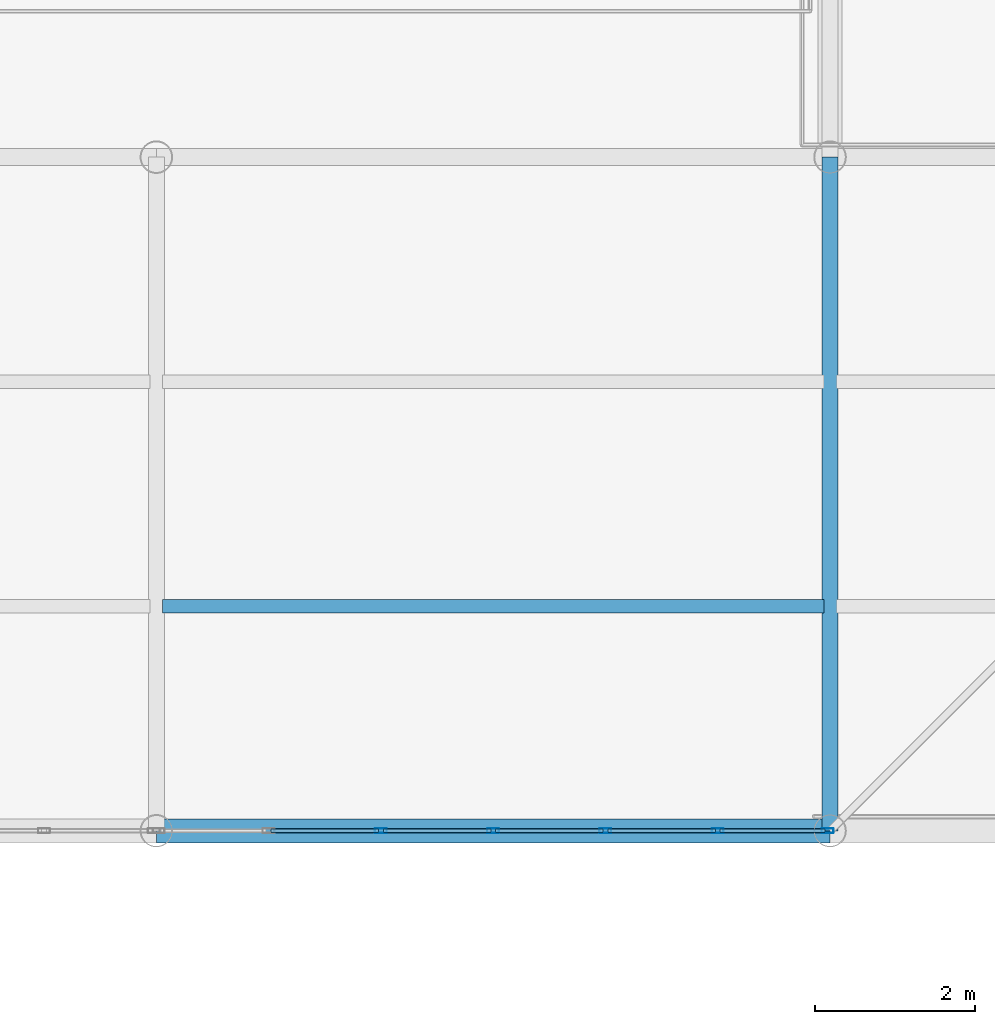
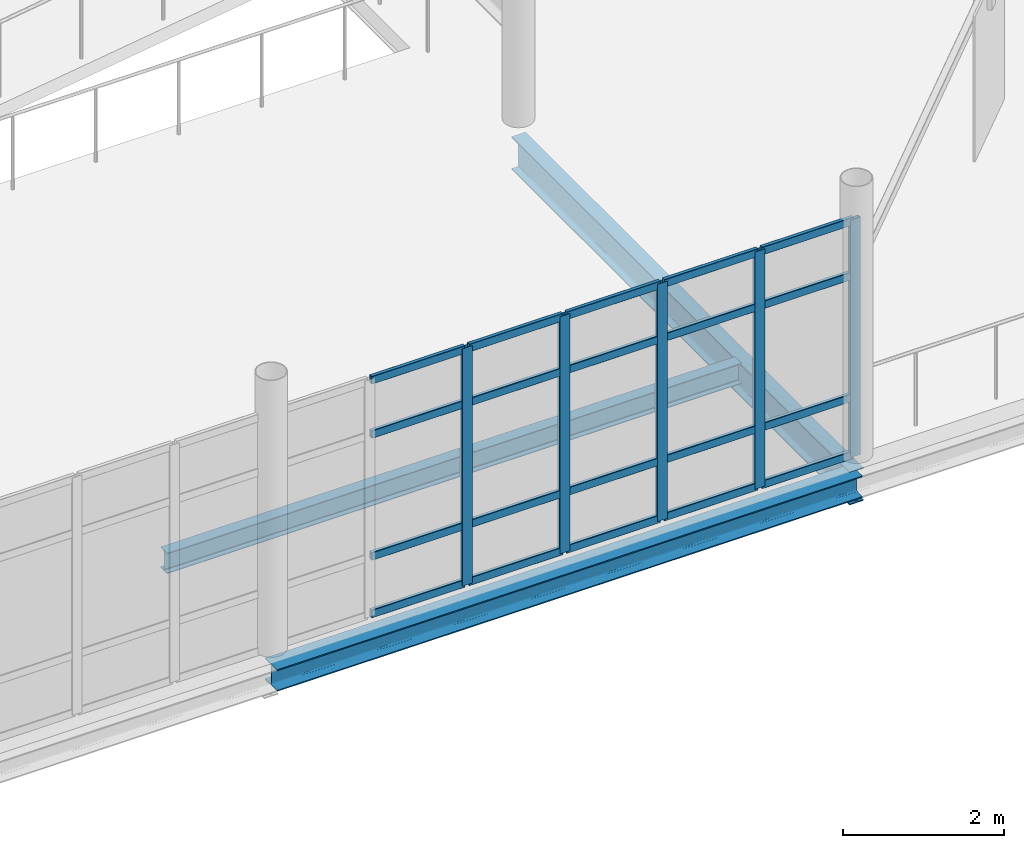
# One storey, part 109 of 163: 25 members, 3 beams, 1 element without a shape of its own.
"""IFC4 building model written with IfcOpenShell, lengths in metres."""

from ifc_helpers import new_model, si_unit, direction, frame, origin, origin_2d, place, context, subcontext, project, spatial, hollow_rectangle, i_section, extrude, material, layer, layer_set, material_profile, profile_set, type_object, element, aggregate, save


model = new_model("IFC4")

# Units and contexts
model_context = context("Model", 3, precision=1e-05, world=origin(), true_north=direction((0.0, 1.0)))
body_context = subcontext(model_context, "Body", "Model", "MODEL_VIEW")
ifc_project = project(units=[si_unit("LENGTHUNIT", "METRE"), si_unit("AREAUNIT", "SQUARE_METRE"), si_unit("VOLUMEUNIT", "CUBIC_METRE"), si_unit("PLANEANGLEUNIT", "RADIAN"), si_unit("MASSUNIT", "GRAM", prefix="KILO")], contexts=[model_context])

# Site, building, storey
site_placement = place(None, origin())
site = spatial("IfcSite", under=ifc_project, at=site_placement, CompositionType="ELEMENT")
building_placement = place(site_placement, origin())
building = spatial("IfcBuilding", under=site, at=building_placement, Name="Qalvenar Corner Mobility Hub", CompositionType="ELEMENT")
storey_placement = place(building_placement, frame((0.0, 0.0, 4.800048828125)))
storey = spatial("IfcBuildingStorey", under=building, at=storey_placement, Name="L01", CompositionType="ELEMENT", Elevation=4.800048828125)

# Beams
ifc_material_1 = material(Name="Steel S355", Category="steel")
ifc_material_profile_1 = material_profile(ifc_material_1, i_section(OverallWidth=0.199951171875, OverallDepth=0.5, WebThickness=0.01025390625, FlangeThickness=0.01611328125, FilletRadius=0.02099609375, at=origin_2d()), Name="IPE500")
ifc_profile_set_1 = profile_set([ifc_material_profile_1], Name="Steel S355")
beam_type_1 = type_object("IfcBeamType", Name="BM-IPE500", PredefinedType="BEAM", material=ifc_profile_set_1)
beam_1_placement = place(storey_placement, frame((159.60009765625, 67.199951171875, -0.489990234375), z_axis=(0.0, 1.0, 0.0), x_axis=(-1.0, 0.0, 0.0)))
element("IfcBeam", 1, at=beam_1_placement, inside=storey, type_object=beam_type_1, Name="Primary Steel Girder GY-1486", PredefinedType="BEAM", context=body_context, shape_type="SweptSolid", body=[
    extrude(i_section(OverallWidth=0.199951171875, OverallDepth=0.5, WebThickness=0.01025390625, FlangeThickness=0.01611328125, FilletRadius=0.02099609375, at=origin_2d()), origin(), (0.0, 0.0, 1.0), 8.400146484375),
])
ifc_material_profile_2 = material_profile(ifc_material_1, i_section(OverallWidth=0.1650390625, OverallDepth=0.31005859375, WebThickness=0.005859375, FlangeThickness=0.009765625, FilletRadius=0.011962890625, at=origin_2d()), Name="W310x38.7")
ifc_profile_set_2 = profile_set([ifc_material_profile_2], Name="Steel S355")
beam_type_2 = type_object("IfcBeamType", Name="BM-JST310", PredefinedType="JOIST", material=ifc_profile_set_2)
beam_2_placement = place(storey_placement, frame((151.278076171875, 70.0, -0.39501953125), z_axis=(1.0, 0.0, 0.0), x_axis=(0.0, 1.0, 0.0)))
element("IfcBeam", 2, at=beam_2_placement, inside=storey, type_object=beam_type_2, Name="Composite Floor Joist J-1506", PredefinedType="JOIST", context=body_context, shape_type="SweptSolid", body=[
    extrude(i_section(OverallWidth=0.1650390625, OverallDepth=0.31005859375, WebThickness=0.005859375, FlangeThickness=0.009765625, FilletRadius=0.011962890625, at=origin_2d()), origin(), (0.0, 0.0, 1.0), 8.243896484375),
])
ifc_material_profile_3 = material_profile(ifc_material_1, i_section(OverallWidth=0.300048828125, OverallDepth=0.330078125, WebThickness=0.009521484375, FlangeThickness=0.0166015625, FilletRadius=0.027099609375, at=origin_2d()), Name="HEA340")
ifc_profile_set_3 = profile_set([ifc_material_profile_3], Name="Steel S355")
beam_type_3 = type_object("IfcBeamType", Name="BM-SPN340", PredefinedType="SPANDREL", material=ifc_profile_set_3)
beam_3_placement = place(storey_placement, frame((151.199951171875, 67.199951171875, -0.405029296875), z_axis=(1.0, 0.0, 0.0), x_axis=(0.0, 1.0, 0.0)))
element("IfcBeam", 3, at=beam_3_placement, inside=storey, type_object=beam_type_3, Name="Primary Steel Girder GX-1467", PredefinedType="SPANDREL", context=body_context, shape_type="SweptSolid", body=[
    extrude(i_section(OverallWidth=0.300048828125, OverallDepth=0.330078125, WebThickness=0.009521484375, FlangeThickness=0.0166015625, FilletRadius=0.027099609375, at=origin_2d()), origin(), (0.0, 0.0, 1.0), 8.400146484375),
])

# Curtain wall, members
ifc_material_2 = material(Name="Anodised Aluminium and Low-E Glazing", Category="aluminium")
ifc_layer = layer(ifc_material_2, 0.1201171875)
ifc_layer_set = layer_set([ifc_layer], Name="Anodised Aluminium and Low-E Glazing")
curtain_wall_type = type_object("IfcCurtainWallType", Name="CW-STR-42X40", PredefinedType="NOTDEFINED", material=ifc_layer_set)
curtain_wall_placement = place(storey_placement, origin())
curtain_wall = element("IfcCurtainWall", 4, at=curtain_wall_placement, inside=storey, type_object=curtain_wall_type, Name="Glazed Curtain Wall CW-V2-L01-S1", PredefinedType="NOTDEFINED")
ifc_material_3 = material(Name="Anodised Aluminium 6063-T6", Category="aluminium")
ifc_material_profile_4 = material_profile(ifc_material_3, hollow_rectangle(XDim=0.06005859375, YDim=0.14990234375, WallThickness=0.00390625, InnerFilletRadius=0.00390625, OuterFilletRadius=0.008056640625, at=origin_2d()), Name="RHS150x60x4")
ifc_profile_set_4 = profile_set([ifc_material_profile_4], Name="Anodised Aluminium 6063-T6")
member_type_1 = type_object("IfcMemberType", Name="CW-MUL150", PredefinedType="MULLION", material=ifc_profile_set_4)
member_1_placement = place(storey_placement, frame((154.0, 67.199951171875, 0.0), z_axis=(0.0, 0.0, 1.0), x_axis=(0.0, 1.0, 0.0)))
member_1 = element("IfcMember", 5, at=member_1_placement, type_object=member_type_1, Name="CW-10 mullion 3", PredefinedType="MULLION", context=body_context, shape_type="SweptSolid", body=[
    extrude(hollow_rectangle(XDim=0.06005859375, YDim=0.14990234375, WallThickness=0.00390625, InnerFilletRadius=0.00390625, OuterFilletRadius=0.008056640625, at=origin_2d()), origin(), (0.0, 0.0, 1.0), 3.599853515625),
])
member_2_placement = place(storey_placement, frame((155.39990234375, 67.199951171875, 0.0), z_axis=(0.0, 0.0, 1.0), x_axis=(0.0, 1.0, 0.0)))
member_2 = element("IfcMember", 6, at=member_2_placement, type_object=member_type_1, Name="CW-10 mullion 4", PredefinedType="MULLION", context=body_context, shape_type="SweptSolid", body=[
    extrude(hollow_rectangle(XDim=0.06005859375, YDim=0.14990234375, WallThickness=0.00390625, InnerFilletRadius=0.00390625, OuterFilletRadius=0.008056640625, at=origin_2d()), origin(), (0.0, 0.0, 1.0), 3.599853515625),
])
member_3_placement = place(storey_placement, frame((156.800048828125, 67.199951171875, 0.0), z_axis=(0.0, 0.0, 1.0), x_axis=(0.0, 1.0, 0.0)))
member_3 = element("IfcMember", 7, at=member_3_placement, type_object=member_type_1, Name="CW-10 mullion 5", PredefinedType="MULLION", context=body_context, shape_type="SweptSolid", body=[
    extrude(hollow_rectangle(XDim=0.06005859375, YDim=0.14990234375, WallThickness=0.00390625, InnerFilletRadius=0.00390625, OuterFilletRadius=0.008056640625, at=origin_2d()), origin(), (0.0, 0.0, 1.0), 3.599853515625),
])
member_4_placement = place(storey_placement, frame((158.199951171875, 67.199951171875, 0.0), z_axis=(0.0, 0.0, 1.0), x_axis=(0.0, 1.0, 0.0)))
member_4 = element("IfcMember", 8, at=member_4_placement, type_object=member_type_1, Name="CW-10 mullion 6", PredefinedType="MULLION", context=body_context, shape_type="SweptSolid", body=[
    extrude(hollow_rectangle(XDim=0.06005859375, YDim=0.14990234375, WallThickness=0.00390625, InnerFilletRadius=0.00390625, OuterFilletRadius=0.008056640625, at=origin_2d()), origin(), (0.0, 0.0, 1.0), 3.599853515625),
])
member_5_placement = place(storey_placement, frame((159.570068359375, 67.199951171875, 0.0), z_axis=(0.0, 0.0, 1.0), x_axis=(0.0, 1.0, 0.0)))
member_5 = element("IfcMember", 9, at=member_5_placement, type_object=member_type_1, Name="CW-10 mullion 7", PredefinedType="MULLION", context=body_context, shape_type="SweptSolid", body=[
    extrude(hollow_rectangle(XDim=0.06005859375, YDim=0.14990234375, WallThickness=0.00390625, InnerFilletRadius=0.00390625, OuterFilletRadius=0.008056640625, at=origin_2d()), origin(), (0.0, 0.0, 1.0), 3.599853515625),
])
ifc_material_profile_5 = material_profile(ifc_material_3, hollow_rectangle(XDim=0.054931640625, YDim=0.1201171875, WallThickness=0.00341796875, InnerFilletRadius=0.00341796875, OuterFilletRadius=0.007080078125, at=origin_2d()), Name="RHS120x55x3.5")
ifc_profile_set_5 = profile_set([ifc_material_profile_5], Name="Anodised Aluminium 6063-T6")
member_type_2 = type_object("IfcMemberType", Name="CW-TRN120", PredefinedType="USERDEFINED", material=ifc_profile_set_5)
member_6_placement = place(storey_placement, frame((152.6298828125, 67.199951171875, 0.02734375), z_axis=(1.0, 0.0, 0.0), x_axis=(0.0, 1.0, 0.0)))
member_6 = element("IfcMember", 10, at=member_6_placement, type_object=member_type_2, Name="CW-10 transom 2.1", ObjectType="TRANSOM", PredefinedType="USERDEFINED", context=body_context, shape_type="SweptSolid", body=[
    extrude(hollow_rectangle(XDim=0.054931640625, YDim=0.1201171875, WallThickness=0.00341796875, InnerFilletRadius=0.00341796875, OuterFilletRadius=0.007080078125, at=origin_2d()), origin(), (0.0, 0.0, 1.0), 1.340087890625),
])
member_7_placement = place(storey_placement, frame((152.6298828125, 67.199951171875, 0.89990234375), z_axis=(1.0, 0.0, 0.0), x_axis=(0.0, 1.0, 0.0)))
member_7 = element("IfcMember", 11, at=member_7_placement, type_object=member_type_2, Name="CW-10 transom 2.2", ObjectType="TRANSOM", PredefinedType="USERDEFINED", context=body_context, shape_type="SweptSolid", body=[
    extrude(hollow_rectangle(XDim=0.054931640625, YDim=0.1201171875, WallThickness=0.00341796875, InnerFilletRadius=0.00341796875, OuterFilletRadius=0.007080078125, at=origin_2d()), origin(), (0.0, 0.0, 1.0), 1.340087890625),
])
member_8_placement = place(storey_placement, frame((152.6298828125, 67.199951171875, 2.75), z_axis=(1.0, 0.0, 0.0), x_axis=(0.0, 1.0, 0.0)))
member_8 = element("IfcMember", 12, at=member_8_placement, type_object=member_type_2, Name="CW-10 transom 2.3", ObjectType="TRANSOM", PredefinedType="USERDEFINED", context=body_context, shape_type="SweptSolid", body=[
    extrude(hollow_rectangle(XDim=0.054931640625, YDim=0.1201171875, WallThickness=0.00341796875, InnerFilletRadius=0.00341796875, OuterFilletRadius=0.007080078125, at=origin_2d()), origin(), (0.0, 0.0, 1.0), 1.340087890625),
])
member_9_placement = place(storey_placement, frame((152.6298828125, 67.199951171875, 3.572509765625), z_axis=(1.0, 0.0, 0.0), x_axis=(0.0, 1.0, 0.0)))
member_9 = element("IfcMember", 13, at=member_9_placement, type_object=member_type_2, Name="CW-10 transom 2.4", ObjectType="TRANSOM", PredefinedType="USERDEFINED", context=body_context, shape_type="SweptSolid", body=[
    extrude(hollow_rectangle(XDim=0.054931640625, YDim=0.1201171875, WallThickness=0.00341796875, InnerFilletRadius=0.00341796875, OuterFilletRadius=0.007080078125, at=origin_2d()), origin(), (0.0, 0.0, 1.0), 1.340087890625),
])
member_10_placement = place(storey_placement, frame((154.030029296875, 67.199951171875, 0.02734375), z_axis=(1.0, 0.0, 0.0), x_axis=(0.0, 1.0, 0.0)))
member_10 = element("IfcMember", 14, at=member_10_placement, type_object=member_type_2, Name="CW-10 transom 3.1", ObjectType="TRANSOM", PredefinedType="USERDEFINED", context=body_context, shape_type="SweptSolid", body=[
    extrude(hollow_rectangle(XDim=0.054931640625, YDim=0.1201171875, WallThickness=0.00341796875, InnerFilletRadius=0.00341796875, OuterFilletRadius=0.007080078125, at=origin_2d()), origin(), (0.0, 0.0, 1.0), 1.340087890625),
])
member_11_placement = place(storey_placement, frame((154.030029296875, 67.199951171875, 0.89990234375), z_axis=(1.0, 0.0, 0.0), x_axis=(0.0, 1.0, 0.0)))
member_11 = element("IfcMember", 15, at=member_11_placement, type_object=member_type_2, Name="CW-10 transom 3.2", ObjectType="TRANSOM", PredefinedType="USERDEFINED", context=body_context, shape_type="SweptSolid", body=[
    extrude(hollow_rectangle(XDim=0.054931640625, YDim=0.1201171875, WallThickness=0.00341796875, InnerFilletRadius=0.00341796875, OuterFilletRadius=0.007080078125, at=origin_2d()), origin(), (0.0, 0.0, 1.0), 1.340087890625),
])
member_12_placement = place(storey_placement, frame((154.030029296875, 67.199951171875, 2.75), z_axis=(1.0, 0.0, 0.0), x_axis=(0.0, 1.0, 0.0)))
member_12 = element("IfcMember", 16, at=member_12_placement, type_object=member_type_2, Name="CW-10 transom 3.3", ObjectType="TRANSOM", PredefinedType="USERDEFINED", context=body_context, shape_type="SweptSolid", body=[
    extrude(hollow_rectangle(XDim=0.054931640625, YDim=0.1201171875, WallThickness=0.00341796875, InnerFilletRadius=0.00341796875, OuterFilletRadius=0.007080078125, at=origin_2d()), origin(), (0.0, 0.0, 1.0), 1.340087890625),
])
member_13_placement = place(storey_placement, frame((154.030029296875, 67.199951171875, 3.572509765625), z_axis=(1.0, 0.0, 0.0), x_axis=(0.0, 1.0, 0.0)))
member_13 = element("IfcMember", 17, at=member_13_placement, type_object=member_type_2, Name="CW-10 transom 3.4", ObjectType="TRANSOM", PredefinedType="USERDEFINED", context=body_context, shape_type="SweptSolid", body=[
    extrude(hollow_rectangle(XDim=0.054931640625, YDim=0.1201171875, WallThickness=0.00341796875, InnerFilletRadius=0.00341796875, OuterFilletRadius=0.007080078125, at=origin_2d()), origin(), (0.0, 0.0, 1.0), 1.340087890625),
])
member_14_placement = place(storey_placement, frame((155.429931640625, 67.199951171875, 0.02734375), z_axis=(1.0, 0.0, 0.0), x_axis=(0.0, 1.0, 0.0)))
member_14 = element("IfcMember", 18, at=member_14_placement, type_object=member_type_2, Name="CW-10 transom 4.1", ObjectType="TRANSOM", PredefinedType="USERDEFINED", context=body_context, shape_type="SweptSolid", body=[
    extrude(hollow_rectangle(XDim=0.054931640625, YDim=0.1201171875, WallThickness=0.00341796875, InnerFilletRadius=0.00341796875, OuterFilletRadius=0.007080078125, at=origin_2d()), origin(), (0.0, 0.0, 1.0), 1.340087890625),
])
member_15_placement = place(storey_placement, frame((155.429931640625, 67.199951171875, 0.89990234375), z_axis=(1.0, 0.0, 0.0), x_axis=(0.0, 1.0, 0.0)))
member_15 = element("IfcMember", 19, at=member_15_placement, type_object=member_type_2, Name="CW-10 transom 4.2", ObjectType="TRANSOM", PredefinedType="USERDEFINED", context=body_context, shape_type="SweptSolid", body=[
    extrude(hollow_rectangle(XDim=0.054931640625, YDim=0.1201171875, WallThickness=0.00341796875, InnerFilletRadius=0.00341796875, OuterFilletRadius=0.007080078125, at=origin_2d()), origin(), (0.0, 0.0, 1.0), 1.340087890625),
])
member_16_placement = place(storey_placement, frame((155.429931640625, 67.199951171875, 2.75), z_axis=(1.0, 0.0, 0.0), x_axis=(0.0, 1.0, 0.0)))
member_16 = element("IfcMember", 20, at=member_16_placement, type_object=member_type_2, Name="CW-10 transom 4.3", ObjectType="TRANSOM", PredefinedType="USERDEFINED", context=body_context, shape_type="SweptSolid", body=[
    extrude(hollow_rectangle(XDim=0.054931640625, YDim=0.1201171875, WallThickness=0.00341796875, InnerFilletRadius=0.00341796875, OuterFilletRadius=0.007080078125, at=origin_2d()), origin(), (0.0, 0.0, 1.0), 1.340087890625),
])
member_17_placement = place(storey_placement, frame((155.429931640625, 67.199951171875, 3.572509765625), z_axis=(1.0, 0.0, 0.0), x_axis=(0.0, 1.0, 0.0)))
member_17 = element("IfcMember", 21, at=member_17_placement, type_object=member_type_2, Name="CW-10 transom 4.4", ObjectType="TRANSOM", PredefinedType="USERDEFINED", context=body_context, shape_type="SweptSolid", body=[
    extrude(hollow_rectangle(XDim=0.054931640625, YDim=0.1201171875, WallThickness=0.00341796875, InnerFilletRadius=0.00341796875, OuterFilletRadius=0.007080078125, at=origin_2d()), origin(), (0.0, 0.0, 1.0), 1.340087890625),
])
member_18_placement = place(storey_placement, frame((156.830078125, 67.199951171875, 0.02734375), z_axis=(1.0, 0.0, 0.0), x_axis=(0.0, 1.0, 0.0)))
member_18 = element("IfcMember", 22, at=member_18_placement, type_object=member_type_2, Name="CW-10 transom 5.1", ObjectType="TRANSOM", PredefinedType="USERDEFINED", context=body_context, shape_type="SweptSolid", body=[
    extrude(hollow_rectangle(XDim=0.054931640625, YDim=0.1201171875, WallThickness=0.00341796875, InnerFilletRadius=0.00341796875, OuterFilletRadius=0.007080078125, at=origin_2d()), origin(), (0.0, 0.0, 1.0), 1.33984375),
])
member_19_placement = place(storey_placement, frame((156.830078125, 67.199951171875, 0.89990234375), z_axis=(1.0, 0.0, 0.0), x_axis=(0.0, 1.0, 0.0)))
member_19 = element("IfcMember", 23, at=member_19_placement, type_object=member_type_2, Name="CW-10 transom 5.2", ObjectType="TRANSOM", PredefinedType="USERDEFINED", context=body_context, shape_type="SweptSolid", body=[
    extrude(hollow_rectangle(XDim=0.054931640625, YDim=0.1201171875, WallThickness=0.00341796875, InnerFilletRadius=0.00341796875, OuterFilletRadius=0.007080078125, at=origin_2d()), origin(), (0.0, 0.0, 1.0), 1.33984375),
])
member_20_placement = place(storey_placement, frame((156.830078125, 67.199951171875, 2.75), z_axis=(1.0, 0.0, 0.0), x_axis=(0.0, 1.0, 0.0)))
member_20 = element("IfcMember", 24, at=member_20_placement, type_object=member_type_2, Name="CW-10 transom 5.3", ObjectType="TRANSOM", PredefinedType="USERDEFINED", context=body_context, shape_type="SweptSolid", body=[
    extrude(hollow_rectangle(XDim=0.054931640625, YDim=0.1201171875, WallThickness=0.00341796875, InnerFilletRadius=0.00341796875, OuterFilletRadius=0.007080078125, at=origin_2d()), origin(), (0.0, 0.0, 1.0), 1.33984375),
])
member_21_placement = place(storey_placement, frame((156.830078125, 67.199951171875, 3.572509765625), z_axis=(1.0, 0.0, 0.0), x_axis=(0.0, 1.0, 0.0)))
member_21 = element("IfcMember", 25, at=member_21_placement, type_object=member_type_2, Name="CW-10 transom 5.4", ObjectType="TRANSOM", PredefinedType="USERDEFINED", context=body_context, shape_type="SweptSolid", body=[
    extrude(hollow_rectangle(XDim=0.054931640625, YDim=0.1201171875, WallThickness=0.00341796875, InnerFilletRadius=0.00341796875, OuterFilletRadius=0.007080078125, at=origin_2d()), origin(), (0.0, 0.0, 1.0), 1.33984375),
])
member_22_placement = place(storey_placement, frame((158.22998046875, 67.199951171875, 0.02734375), z_axis=(1.0, 0.0, 0.0), x_axis=(0.0, 1.0, 0.0)))
member_22 = element("IfcMember", 26, at=member_22_placement, type_object=member_type_2, Name="CW-10 transom 6.1", ObjectType="TRANSOM", PredefinedType="USERDEFINED", context=body_context, shape_type="SweptSolid", body=[
    extrude(hollow_rectangle(XDim=0.054931640625, YDim=0.1201171875, WallThickness=0.00341796875, InnerFilletRadius=0.00341796875, OuterFilletRadius=0.007080078125, at=origin_2d()), origin(), (0.0, 0.0, 1.0), 1.31005859375),
])
member_23_placement = place(storey_placement, frame((158.22998046875, 67.199951171875, 0.89990234375), z_axis=(1.0, 0.0, 0.0), x_axis=(0.0, 1.0, 0.0)))
member_23 = element("IfcMember", 27, at=member_23_placement, type_object=member_type_2, Name="CW-10 transom 6.2", ObjectType="TRANSOM", PredefinedType="USERDEFINED", context=body_context, shape_type="SweptSolid", body=[
    extrude(hollow_rectangle(XDim=0.054931640625, YDim=0.1201171875, WallThickness=0.00341796875, InnerFilletRadius=0.00341796875, OuterFilletRadius=0.007080078125, at=origin_2d()), origin(), (0.0, 0.0, 1.0), 1.31005859375),
])
member_24_placement = place(storey_placement, frame((158.22998046875, 67.199951171875, 2.75), z_axis=(1.0, 0.0, 0.0), x_axis=(0.0, 1.0, 0.0)))
member_24 = element("IfcMember", 28, at=member_24_placement, type_object=member_type_2, Name="CW-10 transom 6.3", ObjectType="TRANSOM", PredefinedType="USERDEFINED", context=body_context, shape_type="SweptSolid", body=[
    extrude(hollow_rectangle(XDim=0.054931640625, YDim=0.1201171875, WallThickness=0.00341796875, InnerFilletRadius=0.00341796875, OuterFilletRadius=0.007080078125, at=origin_2d()), origin(), (0.0, 0.0, 1.0), 1.31005859375),
])
member_25_placement = place(storey_placement, frame((158.22998046875, 67.199951171875, 3.572509765625), z_axis=(1.0, 0.0, 0.0), x_axis=(0.0, 1.0, 0.0)))
member_25 = element("IfcMember", 29, at=member_25_placement, type_object=member_type_2, Name="CW-10 transom 6.4", ObjectType="TRANSOM", PredefinedType="USERDEFINED", context=body_context, shape_type="SweptSolid", body=[
    extrude(hollow_rectangle(XDim=0.054931640625, YDim=0.1201171875, WallThickness=0.00341796875, InnerFilletRadius=0.00341796875, OuterFilletRadius=0.007080078125, at=origin_2d()), origin(), (0.0, 0.0, 1.0), 1.31005859375),
])
aggregate(curtain_wall, [member_1, member_2, member_3, member_4, member_5, member_6, member_7, member_8, member_9, member_10, member_11, member_12, member_13, member_14, member_15, member_16, member_17, member_18, member_19, member_20, member_21, member_22, member_23, member_24, member_25])

save(model, "model.ifc")
